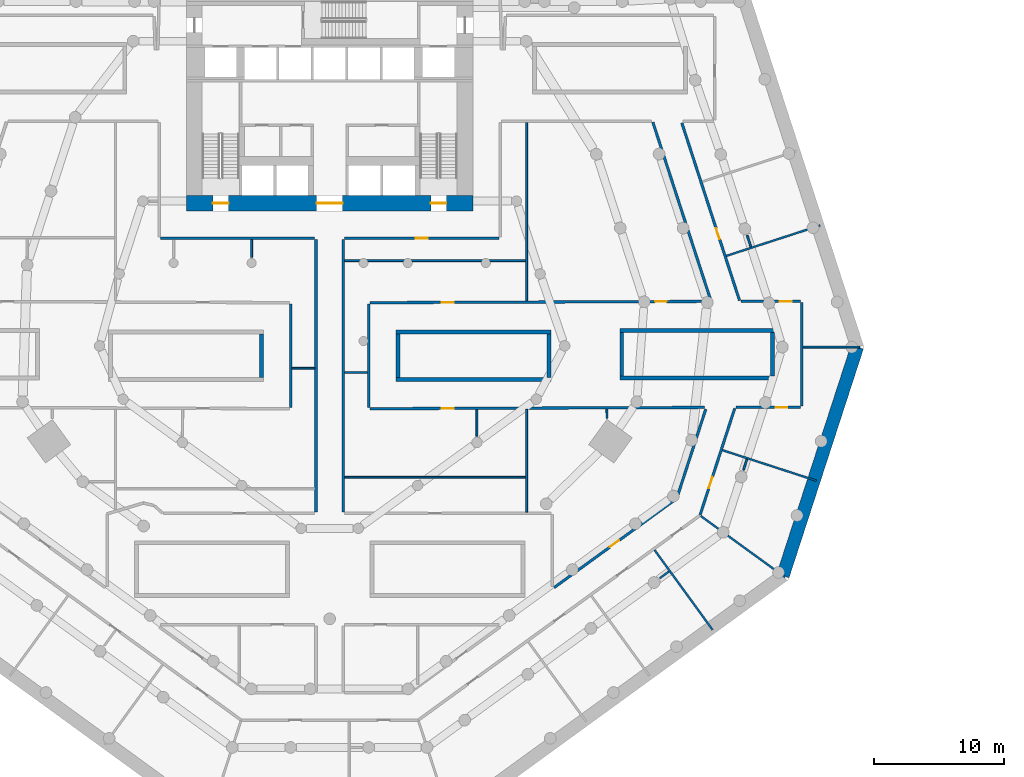
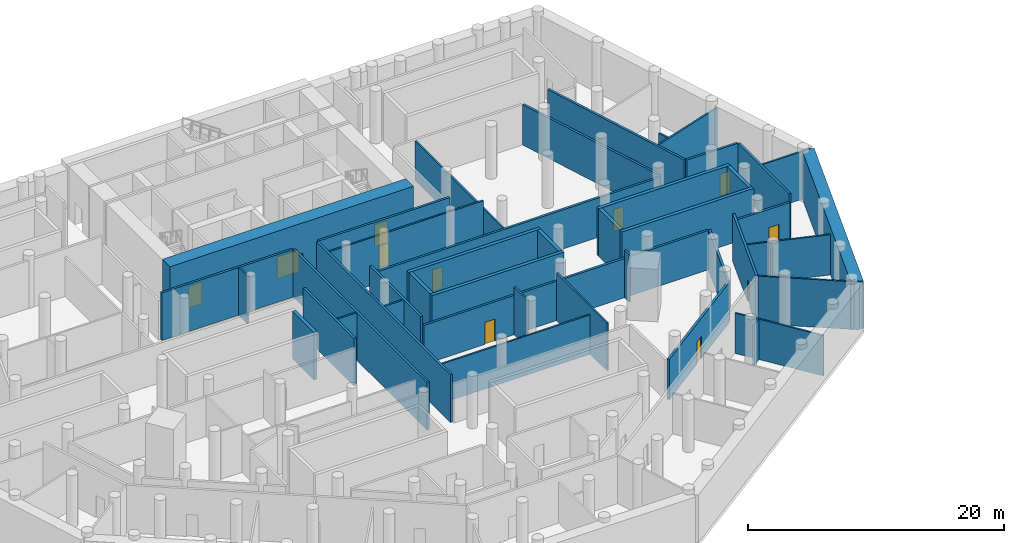
# One storey, part 7 of 10: 44 walls, 12 doors, 12 openings.
"""IFC4 building model written with IfcOpenShell, lengths in metres."""

from ifc_helpers import new_model, si_unit, direction, frame, frame_2d, origin, place, context, subcontext, project, spatial, rectangle, extrude, material, layer, layer_set, type_object, element, fill, save


model = new_model("IFC4")

# Units and contexts
model_context = context("Model", 3, precision=1e-05, world=origin(), true_north=direction((0.0, 1.0)))
body_context = subcontext(model_context, "Body", "Model", "MODEL_VIEW")
ifc_project = project(units=[si_unit("LENGTHUNIT", "METRE"), si_unit("AREAUNIT", "SQUARE_METRE"), si_unit("VOLUMEUNIT", "CUBIC_METRE"), si_unit("PLANEANGLEUNIT", "RADIAN"), si_unit("MASSUNIT", "GRAM", prefix="KILO")], contexts=[model_context])

# Site, building, storey
site_placement = place(None, origin())
site = spatial("IfcSite", under=ifc_project, at=site_placement, CompositionType="ELEMENT")
building_placement = place(site_placement, origin())
building = spatial("IfcBuilding", under=site, at=building_placement, Name="White Candle Pilgrim Tower", CompositionType="ELEMENT")
storey_placement = place(building_placement, frame((0.0, 0.0, -5.0)))
storey = spatial("IfcBuildingStorey", under=building, at=storey_placement, Name="B1", CompositionType="ELEMENT", Elevation=-5.0)

# Wall, opening, door
ifc_material_1 = material(Name="Gypsum board on steel studs", Category="steel")
ifc_layer_1 = layer(ifc_material_1, 0.199951171875)
ifc_layer_set_1 = layer_set([ifc_layer_1], Name="Corridor wall 200 mm EI 45")
wall_type_1 = type_object("IfcWallType", Name="Corridor wall 200 mm EI 45", PredefinedType="PARTITIONING", material=ifc_layer_set_1)
wall_1_placement = place(storey_placement, frame((97.070068359375, 77.76904296875, 0.0), z_axis=(0.0, 0.0, 1.0), x_axis=(0.309012990643, -0.951057817177, 0.0)))
wall_1 = element("IfcWall", 1, at=wall_1_placement, inside=storey, type_object=wall_type_1, Name="WL-B1-P016", PredefinedType="PARTITIONING", context=body_context, shape_type="SweptSolid", body=[
    extrude(rectangle(XDim=14.352294921875, YDim=0.199951171875, at=frame_2d((7.17626953125, 0.0))), origin(), (0.0, 0.0, 1.0), 4.550048828125),
])
opening_1_placement = place(wall_1_placement, frame((8.511474609375, 0.0, 0.0)))
opening_1 = element("IfcOpeningElement", 2, at=opening_1_placement, cuts=wall_1, Name="Opening B1-119", PredefinedType="OPENING", context=body_context, shape_type="SweptSolid", body=[
    extrude(rectangle(XDim=0.89990234375, YDim=2.10009765625, at=frame_2d((0.449951171875, 1.050048828125))), frame((0.0, 0.10986328125, 0.0), z_axis=(0.0, -1.0, 0.0), x_axis=(1.0, 0.0, 0.0)), (0.0, 0.0, 1.0), 0.219970703125),
])
ifc_material_2 = material(Name="Steel door leaf", Category="steel")
door_type_1 = type_object("IfcDoorType", Name="Fire door 900 x 2100 EI 30", OperationType="NOTDEFINED", PredefinedType="DOOR", material=ifc_material_2)
door_1_placement = place(opening_1_placement, origin())
door_1 = element("IfcDoor", 3, at=door_1_placement, inside=storey, type_object=door_type_1, Name="Door B1-119", OperationType="SINGLE_SWING_LEFT", OverallHeight=2.10009765625, OverallWidth=0.89990234375, PredefinedType="DOOR", context=body_context, shape_type="SweptSolid", body=[
    extrude(rectangle(XDim=0.89990234375, YDim=2.10009765625, at=frame_2d((0.449951171875, 1.050048828125))), frame((0.0, 0.02490234375, 0.0), z_axis=(0.0, -1.0, 0.0), x_axis=(1.0, 0.0, 0.0)), (0.0, 0.0, 1.0), 0.050048828125),
])
fill(opening_1, door_1)

wall_2_placement = place(storey_placement, frame((101.600341796875, 64.050048828125, 0.0), z_axis=(0.0, 0.0, 1.0), x_axis=(1.0, 0.0, 0.0)))
wall_2 = element("IfcWall", 4, at=wall_2_placement, inside=storey, type_object=wall_type_1, Name="WL-B1-P017", PredefinedType="PARTITIONING", context=body_context, shape_type="SweptSolid", body=[
    extrude(rectangle(XDim=4.599609375, YDim=0.199951171875, at=frame_2d((2.2998046875, 0.0))), origin(), (0.0, 0.0, 1.0), 4.550048828125),
])
opening_2_placement = place(wall_2_placement, frame((3.013427734375, 0.0, 0.0)))
opening_2 = element("IfcOpeningElement", 5, at=opening_2_placement, cuts=wall_2, Name="Opening B1-118", PredefinedType="OPENING", context=body_context, shape_type="SweptSolid", body=[
    extrude(rectangle(XDim=0.89990234375, YDim=2.10009765625, at=frame_2d((0.449951171875, 1.050048828125))), frame((0.0, 0.10986328125, 0.0), z_axis=(0.0, -1.0, 0.0), x_axis=(1.0, 0.0, 0.0)), (0.0, 0.0, 1.0), 0.219970703125),
])
door_2_placement = place(opening_2_placement, origin())
door_2 = element("IfcDoor", 6, at=door_2_placement, inside=storey, type_object=door_type_1, Name="Door B1-118", OperationType="SINGLE_SWING_RIGHT", OverallHeight=2.10009765625, OverallWidth=0.89990234375, PredefinedType="DOOR", context=body_context, shape_type="SweptSolid", body=[
    extrude(rectangle(XDim=0.89990234375, YDim=2.10009765625, at=frame_2d((0.449951171875, 1.050048828125))), frame((0.0, 0.02490234375, 0.0), z_axis=(0.0, -1.0, 0.0), x_axis=(1.0, 0.0, 0.0)), (0.0, 0.0, 1.0), 0.050048828125),
])
fill(opening_2, door_2)

# Wall
wall_3_placement = place(storey_placement, frame((106.300048828125, 63.949951171875, 0.0), z_axis=(0.0, 0.0, 1.0), x_axis=(0.0, -1.0, 0.0)))
element("IfcWall", 7, at=wall_3_placement, inside=storey, type_object=wall_type_1, Name="WL-B1-P018", PredefinedType="PARTITIONING", context=body_context, shape_type="SweptSolid", body=[
    extrude(rectangle(XDim=7.949951171875, YDim=0.199951171875, at=frame_2d((3.97509765625, 0.0))), origin(), (0.0, 0.0, 1.0), 4.550048828125),
])

# Wall, opening, door
wall_4_placement = place(storey_placement, frame((106.199951171875, 55.89990234375, 0.0), z_axis=(0.0, 0.0, 1.0), x_axis=(-1.0, 0.0, 0.0)))
wall_4 = element("IfcWall", 8, at=wall_4_placement, inside=storey, type_object=wall_type_1, Name="WL-B1-P019", PredefinedType="PARTITIONING", context=body_context, shape_type="SweptSolid", body=[
    extrude(rectangle(XDim=4.96630859375, YDim=0.199951171875, at=frame_2d((2.483154296875, 0.0))), origin(), (0.0, 0.0, 1.0), 3.85009765625),
])
opening_3_placement = place(wall_4_placement, frame((1.01953125, 0.0, 0.0)))
opening_3 = element("IfcOpeningElement", 9, at=opening_3_placement, cuts=wall_4, Name="Opening B1-117", PredefinedType="OPENING", context=body_context, shape_type="SweptSolid", body=[
    extrude(rectangle(XDim=0.89990234375, YDim=2.10009765625, at=frame_2d((0.449951171875, 1.050048828125))), frame((0.0, 0.10986328125, 0.0), z_axis=(0.0, -1.0, 0.0), x_axis=(1.0, 0.0, 0.0)), (0.0, 0.0, 1.0), 0.219970703125),
])
door_3_placement = place(opening_3_placement, origin())
door_3 = element("IfcDoor", 10, at=door_3_placement, inside=storey, type_object=door_type_1, Name="Door B1-117", OperationType="SINGLE_SWING_LEFT", OverallHeight=2.10009765625, OverallWidth=0.89990234375, PredefinedType="DOOR", context=body_context, shape_type="SweptSolid", body=[
    extrude(rectangle(XDim=0.89990234375, YDim=2.10009765625, at=frame_2d((0.449951171875, 1.050048828125))), frame((0.0, 0.02490234375, 0.0), z_axis=(0.0, -1.0, 0.0), x_axis=(1.0, 0.0, 0.0)), (0.0, 0.0, 1.0), 0.050048828125),
])
fill(opening_3, door_3)

wall_5_placement = place(storey_placement, frame((101.138671875, 55.830810546875, 0.0), z_axis=(0.0, 0.0, 1.0), x_axis=(-0.309050865735, -0.951045510156, 0.0)))
wall_5 = element("IfcWall", 11, at=wall_5_placement, inside=storey, type_object=wall_type_1, Name="WL-B1-P020", PredefinedType="PARTITIONING", context=body_context, shape_type="SweptSolid", body=[
    extrude(rectangle(XDim=8.6240234375, YDim=0.199951171875, at=frame_2d((4.31201171875, 0.0))), origin(), (0.0, 0.0, 1.0), 4.550048828125),
])
opening_4_placement = place(wall_5_placement, frame((5.554931640625, 0.0, 0.0)))
opening_4 = element("IfcOpeningElement", 12, at=opening_4_placement, cuts=wall_5, Name="Opening B1-116", PredefinedType="OPENING", context=body_context, shape_type="SweptSolid", body=[
    extrude(rectangle(XDim=0.89990234375, YDim=2.10009765625, at=frame_2d((0.449951171875, 1.050048828125))), frame((0.0, 0.10986328125, 0.0), z_axis=(0.0, -1.0, 0.0), x_axis=(1.0, 0.0, 0.0)), (0.0, 0.0, 1.0), 0.219970703125),
])
door_4_placement = place(opening_4_placement, origin())
door_4 = element("IfcDoor", 13, at=door_4_placement, inside=storey, type_object=door_type_1, Name="Door B1-116", OperationType="SINGLE_SWING_RIGHT", OverallHeight=2.10009765625, OverallWidth=0.89990234375, PredefinedType="DOOR", context=body_context, shape_type="SweptSolid", body=[
    extrude(rectangle(XDim=0.89990234375, YDim=2.10009765625, at=frame_2d((0.449951171875, 1.050048828125))), frame((0.0, 0.02490234375, 0.0), z_axis=(0.0, -1.0, 0.0), x_axis=(1.0, 0.0, 0.0)), (0.0, 0.0, 1.0), 0.050048828125),
])
fill(opening_4, door_4)

# Wall
wall_6_placement = place(storey_placement, frame((96.687255859375, 48.9267578125, 0.0), z_axis=(0.0, 0.0, 1.0), x_axis=(0.309000124439, 0.951061997504, 0.0)))
element("IfcWall", 14, at=wall_6_placement, inside=storey, type_object=wall_type_1, Name="WL-B1-P024", PredefinedType="PARTITIONING", context=body_context, shape_type="SweptSolid", body=[
    extrude(rectangle(XDim=7.19384765625, YDim=0.199951171875, at=frame_2d((3.596923828125, 0.0))), origin(), (0.0, 0.0, 1.0), 3.85009765625),
])

# Wall, opening, door
wall_7_placement = place(storey_placement, frame((98.814697265625, 55.8994140625, 0.0), z_axis=(0.0, 0.0, 1.0), x_axis=(-0.999992570732, -0.003854670107, 0.0)))
wall_7 = element("IfcWall", 15, at=wall_7_placement, inside=storey, type_object=wall_type_1, Name="WL-B1-P025", PredefinedType="PARTITIONING", context=body_context, shape_type="SweptSolid", body=[
    extrude(rectangle(XDim=25.714599609375, YDim=0.199951171875, at=frame_2d((12.857421875, 0.0))), origin(), (0.0, 0.0, 1.0), 3.75),
])
opening_5_placement = place(wall_7_placement, frame((19.294189453125, 0.0, 0.0)))
opening_5 = element("IfcOpeningElement", 16, at=opening_5_placement, cuts=wall_7, Name="Opening B1-128", PredefinedType="OPENING", context=body_context, shape_type="SweptSolid", body=[
    extrude(rectangle(XDim=0.89990234375, YDim=2.10009765625, at=frame_2d((0.449951171875, 1.050048828125))), frame((0.0, 0.10986328125, 0.0), z_axis=(0.0, -1.0, 0.0), x_axis=(1.0, 0.0, 0.0)), (0.0, 0.0, 1.0), 0.219970703125),
])
door_5_placement = place(opening_5_placement, origin())
door_5 = element("IfcDoor", 17, at=door_5_placement, inside=storey, type_object=door_type_1, Name="Door B1-128", OperationType="SINGLE_SWING_RIGHT", OverallHeight=2.10009765625, OverallWidth=0.89990234375, PredefinedType="DOOR", context=body_context, shape_type="SweptSolid", body=[
    extrude(rectangle(XDim=0.89990234375, YDim=2.10009765625, at=frame_2d((0.449951171875, 1.050048828125))), frame((0.0, 0.02490234375, 0.0), z_axis=(0.0, -1.0, 0.0), x_axis=(1.0, 0.0, 0.0)), (0.0, 0.0, 1.0), 0.050048828125),
])
fill(opening_5, door_5)

# Wall
wall_8_placement = place(storey_placement, frame((73.0, 55.900390625, 0.0), z_axis=(0.0, 0.0, 1.0), x_axis=(0.0, 1.0, 0.0)))
element("IfcWall", 18, at=wall_8_placement, inside=storey, type_object=wall_type_1, Name="WL-B1-P026", PredefinedType="PARTITIONING", context=body_context, shape_type="SweptSolid", body=[
    extrude(rectangle(XDim=7.949951171875, YDim=0.199951171875, at=frame_2d((3.97509765625, 0.0))), origin(), (0.0, 0.0, 1.0), 4.550048828125),
])

# Wall, openings, doors
wall_9_placement = place(storey_placement, frame((73.099609375, 63.950439453125, 0.0), z_axis=(0.0, 0.0, 1.0), x_axis=(0.999992779253, 0.003800189715, 0.0)))
wall_9 = element("IfcWall", 19, at=wall_9_placement, inside=storey, type_object=wall_type_1, Name="WL-B1-P027", PredefinedType="PARTITIONING", context=body_context, shape_type="SweptSolid", body=[
    extrude(rectangle(XDim=26.083251953125, YDim=0.199951171875, at=frame_2d((13.04150390625, 0.0))), origin(), (0.0, 0.0, 1.0), 3.75),
])
opening_6_placement = place(wall_9_placement, frame((5.52099609375, 0.0, 0.0)))
opening_6 = element("IfcOpeningElement", 20, at=opening_6_placement, cuts=wall_9, Name="Opening B1-129", PredefinedType="OPENING", context=body_context, shape_type="SweptSolid", body=[
    extrude(rectangle(XDim=0.89990234375, YDim=2.10009765625, at=frame_2d((0.449951171875, 1.050048828125))), frame((0.0, 0.10986328125, 0.0), z_axis=(0.0, -1.0, 0.0), x_axis=(1.0, 0.0, 0.0)), (0.0, 0.0, 1.0), 0.219970703125),
])
opening_7_placement = place(wall_9_placement, frame((21.910400390625, 0.0, 0.0)))
opening_7 = element("IfcOpeningElement", 21, at=opening_7_placement, cuts=wall_9, Name="Opening B1-132", PredefinedType="OPENING", context=body_context, shape_type="SweptSolid", body=[
    extrude(rectangle(XDim=0.89990234375, YDim=2.10009765625, at=frame_2d((0.449951171875, 1.050048828125))), frame((0.0, 0.10986328125, 0.0), z_axis=(0.0, -1.0, 0.0), x_axis=(1.0, 0.0, 0.0)), (0.0, 0.0, 1.0), 0.219970703125),
])
door_6_placement = place(opening_6_placement, origin())
door_6 = element("IfcDoor", 22, at=door_6_placement, inside=storey, type_object=door_type_1, Name="Door B1-129", OperationType="SINGLE_SWING_LEFT", OverallHeight=2.10009765625, OverallWidth=0.89990234375, PredefinedType="DOOR", context=body_context, shape_type="SweptSolid", body=[
    extrude(rectangle(XDim=0.89990234375, YDim=2.10009765625, at=frame_2d((0.449951171875, 1.050048828125))), frame((0.0, 0.02490234375, 0.0), z_axis=(0.0, -1.0, 0.0), x_axis=(1.0, 0.0, 0.0)), (0.0, 0.0, 1.0), 0.050048828125),
])
fill(opening_6, door_6)
door_7_placement = place(opening_7_placement, origin())
door_7 = element("IfcDoor", 23, at=door_7_placement, inside=storey, type_object=door_type_1, Name="Door B1-132", OperationType="SINGLE_SWING_RIGHT", OverallHeight=2.10009765625, OverallWidth=0.89990234375, PredefinedType="DOOR", context=body_context, shape_type="SweptSolid", body=[
    extrude(rectangle(XDim=0.89990234375, YDim=2.10009765625, at=frame_2d((0.449951171875, 1.050048828125))), frame((0.0, 0.02490234375, 0.0), z_axis=(0.0, -1.0, 0.0), x_axis=(1.0, 0.0, 0.0)), (0.0, 0.0, 1.0), 0.050048828125),
])
fill(opening_7, door_7)

# Wall
wall_10_placement = place(storey_placement, frame((99.277099609375, 64.180419921875, 0.0), z_axis=(0.0, 0.0, 1.0), x_axis=(-0.309018378218, 0.951056066656, 0.0)))
element("IfcWall", 24, at=wall_10_placement, inside=storey, type_object=wall_type_1, Name="WL-B1-P028", PredefinedType="PARTITIONING", context=body_context, shape_type="SweptSolid", body=[
    extrude(rectangle(XDim=14.352783203125, YDim=0.199951171875, at=frame_2d((7.17626953125, 0.0))), origin(), (0.0, 0.0, 1.0), 3.85009765625),
])

# Wall, opening, door
wall_11_placement = place(storey_placement, frame((83.0, 68.89990234375, 0.0), z_axis=(0.0, 0.0, 1.0), x_axis=(-1.0, 0.0, 0.0)))
wall_11 = element("IfcWall", 25, at=wall_11_placement, inside=storey, type_object=wall_type_1, Name="WL-B1-P031", PredefinedType="PARTITIONING", context=body_context, shape_type="SweptSolid", body=[
    extrude(rectangle(XDim=11.85009765625, YDim=0.199951171875, at=frame_2d((5.925048828125, 0.0))), origin(), (0.0, 0.0, 1.0), 4.550048828125),
])
opening_8_placement = place(wall_11_placement, frame((5.47509765625, 0.0, 0.0)))
opening_8 = element("IfcOpeningElement", 26, at=opening_8_placement, cuts=wall_11, Name="Opening B1-130", PredefinedType="OPENING", context=body_context, shape_type="SweptSolid", body=[
    extrude(rectangle(XDim=0.89990234375, YDim=2.10009765625, at=frame_2d((0.449951171875, 1.050048828125))), frame((0.0, 0.10986328125, 0.0), z_axis=(0.0, -1.0, 0.0), x_axis=(1.0, 0.0, 0.0)), (0.0, 0.0, 1.0), 0.219970703125),
])
door_8_placement = place(opening_8_placement, origin())
door_8 = element("IfcDoor", 27, at=door_8_placement, inside=storey, type_object=door_type_1, Name="Door B1-130", OperationType="SINGLE_SWING_RIGHT", OverallHeight=2.10009765625, OverallWidth=0.89990234375, PredefinedType="DOOR", context=body_context, shape_type="SweptSolid", body=[
    extrude(rectangle(XDim=0.89990234375, YDim=2.10009765625, at=frame_2d((0.449951171875, 1.050048828125))), frame((0.0, 0.02490234375, 0.0), z_axis=(0.0, -1.0, 0.0), x_axis=(1.0, 0.0, 0.0)), (0.0, 0.0, 1.0), 0.050048828125),
])
fill(opening_8, door_8)

# Wall
wall_12_placement = place(storey_placement, frame((71.050048828125, 68.800048828125, 0.0), z_axis=(0.0, 0.0, 1.0), x_axis=(0.0, -1.0, 0.0)))
element("IfcWall", 28, at=wall_12_placement, inside=storey, type_object=wall_type_1, Name="WL-B1-P032", PredefinedType="PARTITIONING", context=body_context, shape_type="SweptSolid", body=[
    extrude(rectangle(XDim=20.949951171875, YDim=0.199951171875, at=frame_2d((10.47509765625, 0.0))), origin(), (0.0, 0.0, 1.0), 4.550048828125),
])

# Wall, opening, door
wall_13_placement = place(storey_placement, frame((87.2587890625, 42.052978515625, 0.0), z_axis=(0.0, 0.0, 1.0), x_axis=(0.809017904923, 0.587783999028, 0.0)))
wall_13 = element("IfcWall", 29, at=wall_13_placement, inside=storey, type_object=wall_type_1, Name="WL-B1-P035", PredefinedType="PARTITIONING", context=body_context, shape_type="SweptSolid", body=[
    extrude(rectangle(XDim=11.609130859375, YDim=0.199951171875, at=frame_2d((5.8046875, 0.0))), origin(), (0.0, 0.0, 1.0), 3.85009765625),
])
opening_9_placement = place(wall_13_placement, frame((5.272705078125, 0.0, 0.0)))
opening_9 = element("IfcOpeningElement", 30, at=opening_9_placement, cuts=wall_13, Name="Opening B1-131", PredefinedType="OPENING", context=body_context, shape_type="SweptSolid", body=[
    extrude(rectangle(XDim=0.89990234375, YDim=2.10009765625, at=frame_2d((0.449951171875, 1.050048828125))), frame((0.0, 0.10986328125, 0.0), z_axis=(0.0, -1.0, 0.0), x_axis=(1.0, 0.0, 0.0)), (0.0, 0.0, 1.0), 0.219970703125),
])
door_9_placement = place(opening_9_placement, origin())
door_9 = element("IfcDoor", 31, at=door_9_placement, inside=storey, type_object=door_type_1, Name="Door B1-131", OperationType="SINGLE_SWING_LEFT", OverallHeight=2.10009765625, OverallWidth=0.89990234375, PredefinedType="DOOR", context=body_context, shape_type="SweptSolid", body=[
    extrude(rectangle(XDim=0.89990234375, YDim=2.10009765625, at=frame_2d((0.449951171875, 1.050048828125))), frame((0.0, 0.02490234375, 0.0), z_axis=(0.0, -1.0, 0.0), x_axis=(1.0, 0.0, 0.0)), (0.0, 0.0, 1.0), 0.050048828125),
])
fill(opening_9, door_9)

# Walls
wall_14_placement = place(storey_placement, frame((67.0, 63.850341796875, 0.0), z_axis=(0.0, 0.0, 1.0), x_axis=(0.0, -1.0, 0.0)))
element("IfcWall", 32, at=wall_14_placement, inside=storey, type_object=wall_type_1, Name="WL-B1-P040", PredefinedType="PARTITIONING", context=body_context, shape_type="SweptSolid", body=[
    extrude(rectangle(XDim=7.949951171875, YDim=0.199951171875, at=frame_2d((3.97509765625, 0.0))), origin(), (0.0, 0.0, 1.0), 4.550048828125),
])
wall_15_placement = place(storey_placement, frame((68.949951171875, 47.85009765625, 0.0), z_axis=(0.0, 0.0, 1.0), x_axis=(0.0, 1.0, 0.0)))
element("IfcWall", 33, at=wall_15_placement, inside=storey, type_object=wall_type_1, Name="WL-B1-P049", PredefinedType="PARTITIONING", context=body_context, shape_type="SweptSolid", body=[
    extrude(rectangle(XDim=20.949951171875, YDim=0.199951171875, at=frame_2d((10.47509765625, 0.0))), origin(), (0.0, 0.0, 1.0), 4.550048828125),
])
wall_16_placement = place(storey_placement, frame((68.85009765625, 68.89990234375, 0.0), z_axis=(0.0, 0.0, 1.0), x_axis=(-1.0, 0.0, 0.0)))
element("IfcWall", 34, at=wall_16_placement, inside=storey, type_object=wall_type_1, Name="WL-B1-P050", PredefinedType="PARTITIONING", context=body_context, shape_type="SweptSolid", body=[
    extrude(rectangle(XDim=11.85009765625, YDim=0.199951171875, at=frame_2d((5.925048828125, 0.0))), origin(), (0.0, 0.0, 1.0), 4.550048828125),
])
ifc_material_3 = material(Name="Concrete C40/50", Category="concrete")
ifc_layer_2 = layer(ifc_material_3, 1.0)
ifc_layer_set_2 = layer_set([ifc_layer_2], Name="Diaphragm wall 1000")
wall_type_2 = type_object("IfcWallType", Name="Diaphragm wall 1000", PredefinedType="SOLIDWALL", material=ifc_layer_set_2)
wall_17_placement = place(storey_placement, frame((110.55419921875, 60.539306640625, 0.0), z_axis=(0.0, 0.0, 1.0), x_axis=(-0.309001835939, -0.951061441436, 0.0)))
element("IfcWall", 35, at=wall_17_placement, inside=storey, type_object=wall_type_2, Name="Diaphragm wall B1-01", PredefinedType="SOLIDWALL", context=body_context, shape_type="SweptSolid", body=[
    extrude(rectangle(XDim=18.481201171875, YDim=1.0, at=frame_2d((9.24072265625, 0.0))), origin(), (0.0, 0.0, 1.0), 4.550048828125),
])
ifc_layer_3 = layer(ifc_material_1, 0.14990234375)
ifc_layer_set_3 = layer_set([ifc_layer_3], Name="Partition 150 mm EI 60")
wall_type_3 = type_object("IfcWallType", Name="Partition 150 mm EI 60", PredefinedType="PARTITIONING", material=ifc_layer_set_3)
wall_18_placement = place(storey_placement, frame((104.99658203125, 42.851318359375, 0.0), z_axis=(0.0, 0.0, 1.0), x_axis=(-0.809022705267, 0.587777391843, 0.0)))
element("IfcWall", 36, at=wall_18_placement, inside=storey, type_object=wall_type_3, Name="WL-B1-P063", PredefinedType="PARTITIONING", context=body_context, shape_type="SweptSolid", body=[
    extrude(rectangle(XDim=7.990234375, YDim=0.14990234375, at=frame_2d((3.9951171875, 0.0))), origin(), (0.0, 0.0, 1.0), 4.550048828125),
])
wall_19_placement = place(storey_placement, frame((110.74365234375, 60.539306640625, 0.0), z_axis=(0.0, 0.0, 1.0), x_axis=(-1.0, 0.0, 0.0)))
element("IfcWall", 37, at=wall_19_placement, inside=storey, type_object=wall_type_3, Name="WL-B1-P064", PredefinedType="PARTITIONING", context=body_context, shape_type="SweptSolid", body=[
    extrude(rectangle(XDim=4.34375, YDim=0.14990234375, at=frame_2d((2.171875, 0.0))), origin(), (0.0, 0.0, 1.0), 4.550048828125),
])
for number, where, z_axis, x_axis, name in (
    (38, (99.428955078125, 38.806396484375, 0.0), (0.0, 0.0, 1.0), (-0.587800109381, 0.80900619986, 0.0), "WL-B1-P074"),
    (39, (107.406494140625, 50.268798828125, 0.0), (0.0, 0.0, 1.0), (-0.951058681979, 0.309010329007, 0.0), "WL-B1-P075"),
    (40, (107.705078125, 69.890869140625, 0.0), (0.0, 0.0, 1.0), (-0.951058681979, -0.309010329007, 0.0), "WL-B1-P076"),
):
    element("IfcWall", number, at=place(storey_placement, frame(where, z_axis=z_axis, x_axis=x_axis)), inside=storey, type_object=wall_type_3, Name=name, PredefinedType="PARTITIONING", context=body_context, shape_type="SweptSolid", body=[
        extrude(rectangle(XDim=7.580078125, YDim=0.14990234375, at=frame_2d((3.7900390625, 0.0))), origin(), (0.0, 0.0, 1.0), 3.85009765625),
    ])
wall_20_placement = place(storey_placement, frame((67.10009765625, 58.911376953125, 0.0), z_axis=(0.0, 0.0, 1.0), x_axis=(1.0, 0.0, 0.0)))
element("IfcWall", 41, at=wall_20_placement, inside=storey, type_object=wall_type_3, Name="WL-B1-P081", PredefinedType="PARTITIONING", context=body_context, shape_type="SweptSolid", body=[
    extrude(rectangle(XDim=1.75, YDim=0.14990234375, at=frame_2d((0.875, 0.0))), origin(), (0.0, 0.0, 1.0), 4.550048828125),
])
wall_21_placement = place(storey_placement, frame((85.141357421875, 47.85009765625, 0.0), z_axis=(0.0, 0.0, 1.0), x_axis=(0.0, 1.0, 0.0)))
element("IfcWall", 42, at=wall_21_placement, inside=storey, type_object=wall_type_3, Name="WL-B1-P083", PredefinedType="PARTITIONING", context=body_context, shape_type="SweptSolid", body=[
    extrude(rectangle(XDim=7.896484375, YDim=0.14990234375, at=frame_2d((3.9482421875, 0.0))), origin(), (0.0, 0.0, 1.0), 4.550048828125),
])
wall_22_placement = place(storey_placement, frame((85.141357421875, 64.096435546875, 0.0), z_axis=(0.0, 0.0, 1.0), x_axis=(0.0, 1.0, 0.0)))
element("IfcWall", 43, at=wall_22_placement, inside=storey, type_object=wall_type_3, Name="WL-B1-P084", PredefinedType="PARTITIONING", context=body_context, shape_type="SweptSolid", body=[
    extrude(rectangle(XDim=13.70361328125, YDim=0.14990234375, at=frame_2d((6.851806640625, 0.0))), origin(), (0.0, 0.0, 1.0), 3.75),
])
wall_23_placement = place(storey_placement, frame((71.14990234375, 50.531005859375, 0.0), z_axis=(0.0, 0.0, 1.0), x_axis=(1.0, 0.0, 0.0)))
element("IfcWall", 44, at=wall_23_placement, inside=storey, type_object=wall_type_3, Name="WL-B1-P085", PredefinedType="PARTITIONING", context=body_context, shape_type="SweptSolid", body=[
    extrude(rectangle(XDim=13.91650390625, YDim=0.14990234375, at=frame_2d((6.958251953125, 0.0))), origin(), (0.0, 0.0, 1.0), 3.75),
])
wall_24_placement = place(storey_placement, frame((71.14990234375, 58.585205078125, 0.0), z_axis=(0.0, 0.0, 1.0), x_axis=(1.0, 0.0, 0.0)))
element("IfcWall", 45, at=wall_24_placement, inside=storey, type_object=wall_type_3, Name="WL-B1-P086", PredefinedType="PARTITIONING", context=body_context, shape_type="SweptSolid", body=[
    extrude(rectangle(XDim=1.75, YDim=0.14990234375, at=frame_2d((0.875, 0.0))), origin(), (0.0, 0.0, 1.0), 4.550048828125),
])
wall_25_placement = place(storey_placement, frame((71.14990234375, 67.18408203125, 0.0), z_axis=(0.0, 0.0, 1.0), x_axis=(1.0, 0.0, 0.0)))
element("IfcWall", 46, at=wall_25_placement, inside=storey, type_object=wall_type_3, Name="WL-B1-P087", PredefinedType="PARTITIONING", context=body_context, shape_type="SweptSolid", body=[
    extrude(rectangle(XDim=13.91650390625, YDim=0.14990234375, at=frame_2d((6.958251953125, 0.0))), origin(), (0.0, 0.0, 1.0), 4.550048828125),
])
wall_26_placement = place(storey_placement, frame((91.317138671875, 55.066162109375, 0.0), z_axis=(0.0, 0.0, 1.0), x_axis=(-0.003812797242, 0.999992731262, 0.0)))
element("IfcWall", 47, at=wall_26_placement, inside=storey, type_object=wall_type_3, Name="WL-B1-P092", PredefinedType="PARTITIONING", context=body_context, shape_type="SweptSolid", body=[
    extrude(rectangle(XDim=0.704345703125, YDim=0.14990234375, at=frame_2d((0.35205078125, 0.0))), origin(), (0.0, 0.0, 1.0), 4.550048828125),
])
wall_27_placement = place(storey_placement, frame((81.317626953125, 53.699951171875, 0.0), z_axis=(0.0, 0.0, 1.0), x_axis=(-0.003844739095, 0.999992608963, 0.0)))
element("IfcWall", 48, at=wall_27_placement, inside=storey, type_object=wall_type_3, Name="WL-B1-P095", PredefinedType="PARTITIONING", context=body_context, shape_type="SweptSolid", body=[
    extrude(rectangle(XDim=2.031982421875, YDim=0.14990234375, at=frame_2d((1.01611328125, 0.0))), origin(), (0.0, 0.0, 1.0), 4.550048828125),
])
wall_28_placement = place(storey_placement, frame((63.997802734375, 67.43994140625, 0.0), z_axis=(0.0, 0.0, 1.0), x_axis=(0.0, 1.0, 0.0)))
element("IfcWall", 49, at=wall_28_placement, inside=storey, type_object=wall_type_3, Name="WL-B1-P098", PredefinedType="PARTITIONING", context=body_context, shape_type="SweptSolid", body=[
    extrude(rectangle(XDim=1.360107421875, YDim=0.14990234375, at=frame_2d((0.68017578125, 0.0))), origin(), (0.0, 0.0, 1.0), 4.550048828125),
])
wall_29_placement = place(storey_placement, frame((95.3662109375, 42.765380859375, 0.0), z_axis=(0.0, 0.0, 1.0), x_axis=(0.808950861425, 0.587876265723, 0.0)))
element("IfcWall", 50, at=wall_29_placement, inside=storey, type_object=wall_type_3, Name="WL-B1-P101", PredefinedType="PARTITIONING", context=body_context, shape_type="SweptSolid", body=[
    extrude(rectangle(XDim=0.884521484375, YDim=0.14990234375, at=frame_2d((0.4423828125, 0.0))), origin(), (0.0, 0.0, 1.0), 3.85009765625),
])
wall_30_placement = place(storey_placement, frame((101.80712890625, 51.078125, 0.0), z_axis=(0.0, 0.0, 1.0), x_axis=(0.309023738622, 0.95105432493, 0.0)))
element("IfcWall", 51, at=wall_30_placement, inside=storey, type_object=wall_type_3, Name="WL-B1-P102", PredefinedType="PARTITIONING", context=body_context, shape_type="SweptSolid", body=[
    extrude(rectangle(XDim=0.8857421875, YDim=0.14990234375, at=frame_2d((0.44287109375, 0.0))), origin(), (0.0, 0.0, 1.0), 3.85009765625),
])
wall_31_placement = place(storey_placement, frame((102.090087890625, 69.1279296875, 0.0), z_axis=(0.0, 0.0, 1.0), x_axis=(0.309086072338, -0.951034068731, 0.0)))
element("IfcWall", 52, at=wall_31_placement, inside=storey, type_object=wall_type_3, Name="WL-B1-P103", PredefinedType="PARTITIONING", context=body_context, shape_type="SweptSolid", body=[
    extrude(rectangle(XDim=0.934326171875, YDim=0.14990234375, at=frame_2d((0.46728515625, 0.0))), origin(), (0.0, 0.0, 1.0), 3.85009765625),
])
ifc_material_4 = material(Name="Concrete C60/75", Category="concrete")
ifc_layer_4 = layer(ifc_material_4, 0.300048828125)
ifc_layer_set_4 = layer_set([ifc_layer_4], Name="Shaft wall 300 mm Concrete C60/75")
wall_type_4 = type_object("IfcWallType", Name="Shaft wall 300 mm Concrete C60/75", PredefinedType="SHEAR", material=ifc_layer_set_4)
wall_32_placement = place(storey_placement, frame((64.75, 58.199951171875, 0.0), z_axis=(0.0, 0.0, 1.0), x_axis=(0.0, 1.0, 0.0)))
element("IfcWall", 53, at=wall_32_placement, inside=storey, type_object=wall_type_4, Name="WL-B1-PB5E", PredefinedType="SHEAR", context=body_context, shape_type="SweptSolid", body=[
    extrude(rectangle(XDim=3.35009765625, YDim=0.300048828125, at=frame_2d((1.675048828125, 0.0))), origin(), (0.0, 0.0, 1.0), 4.550048828125),
])
for number, where, z_axis, x_axis, name in (
    (54, (75.10009765625, 58.050048828125, 0.0), (0.0, 0.0, 1.0), (1.0, 0.0, 0.0), "WL-B1-PB4S"),
    (55, (75.10009765625, 61.699951171875, 0.0), (0.0, 0.0, 1.0), (1.0, 0.0, 0.0), "WL-B1-PB4N"),
):
    element("IfcWall", number, at=place(storey_placement, frame(where, z_axis=z_axis, x_axis=x_axis)), inside=storey, type_object=wall_type_4, Name=name, PredefinedType="SHEAR", context=body_context, shape_type="SweptSolid", body=[
        extrude(rectangle(XDim=11.89990234375, YDim=0.300048828125, at=frame_2d((5.949951171875, 0.0))), origin(), (0.0, 0.0, 1.0), 4.550048828125),
    ])
for number, where, z_axis, x_axis, name in (
    (56, (75.25, 58.199951171875, 0.0), (0.0, 0.0, 1.0), (0.0, 1.0, 0.0), "WL-B1-PB4W"),
    (57, (86.85009765625, 58.199951171875, 0.0), (0.0, 0.0, 1.0), (0.0, 1.0, 0.0), "WL-B1-PB4E"),
):
    element("IfcWall", number, at=place(storey_placement, frame(where, z_axis=z_axis, x_axis=x_axis)), inside=storey, type_object=wall_type_4, Name=name, PredefinedType="SHEAR", context=body_context, shape_type="SweptSolid", body=[
        extrude(rectangle(XDim=3.35009765625, YDim=0.300048828125, at=frame_2d((1.675048828125, 0.0))), origin(), (0.0, 0.0, 1.0), 4.550048828125),
    ])
for number, where, z_axis, x_axis, name in (
    (58, (92.300048828125, 58.14990234375, 0.0), (0.0, 0.0, 1.0), (1.0, 0.0, 0.0), "WL-B1-PB9S"),
    (59, (92.300048828125, 61.800048828125, 0.0), (0.0, 0.0, 1.0), (1.0, 0.0, 0.0), "WL-B1-PB9N"),
):
    element("IfcWall", number, at=place(storey_placement, frame(where, z_axis=z_axis, x_axis=x_axis)), inside=storey, type_object=wall_type_4, Name=name, PredefinedType="SHEAR", context=body_context, shape_type="SweptSolid", body=[
        extrude(rectangle(XDim=11.89990234375, YDim=0.300048828125, at=frame_2d((5.949951171875, 0.0))), origin(), (0.0, 0.0, 1.0), 4.550048828125),
    ])
for number, where, z_axis, x_axis, name in (
    (60, (92.449951171875, 58.300048828125, 0.0), (0.0, 0.0, 1.0), (0.0, 1.0, 0.0), "WL-B1-PB9W"),
    (61, (104.050048828125, 58.300048828125, 0.0), (0.0, 0.0, 1.0), (0.0, 1.0, 0.0), "WL-B1-PB9E"),
):
    element("IfcWall", number, at=place(storey_placement, frame(where, z_axis=z_axis, x_axis=x_axis)), inside=storey, type_object=wall_type_4, Name=name, PredefinedType="SHEAR", context=body_context, shape_type="SweptSolid", body=[
        extrude(rectangle(XDim=3.349853515625, YDim=0.300048828125, at=frame_2d((1.6748046875, 0.0))), origin(), (0.0, 0.0, 1.0), 4.550048828125),
    ])

# Wall, openings, doors
ifc_material_5 = material(Name="Concrete C70/85", Category="concrete")
ifc_layer_5 = layer(ifc_material_5, 1.199951171875)
ifc_layer_set_5 = layer_set([ifc_layer_5], Name="Stair shaft wall 1200 mm Concrete C70/85")
wall_type_5 = type_object("IfcWallType", Name="Stair shaft wall 1200 mm Concrete C70/85", PredefinedType="SHEAR", material=ifc_layer_set_5)
wall_33_placement = place(storey_placement, frame((59.0, 71.60009765625, 0.0), z_axis=(0.0, 0.0, 1.0), x_axis=(1.0, 0.0, 0.0)))
wall_33 = element("IfcWall", 62, at=wall_33_placement, inside=storey, type_object=wall_type_5, Name="WL-B1-C01", PredefinedType="SHEAR", context=body_context, shape_type="SweptSolid", body=[
    extrude(rectangle(XDim=22.0, YDim=1.199951171875, at=frame_2d((11.0, 0.0))), origin(), (0.0, 0.0, 1.0), 5.0),
])
opening_10_placement = place(wall_33_placement, frame((2.02490234375, 0.0, 0.0)))
opening_10 = element("IfcOpeningElement", 63, at=opening_10_placement, cuts=wall_33, Name="Opening B1-001", PredefinedType="OPENING", context=body_context, shape_type="SweptSolid", body=[
    extrude(rectangle(XDim=1.199951171875, YDim=2.10009765625, at=frame_2d((0.60009765625, 1.050048828125))), frame((0.0, 0.60986328125, 0.0), z_axis=(0.0, -1.0, 0.0), x_axis=(1.0, 0.0, 0.0)), (0.0, 0.0, 1.0), 1.219970703125),
])
opening_11_placement = place(wall_33_placement, frame((18.77490234375, 0.0, 0.0)))
opening_11 = element("IfcOpeningElement", 64, at=opening_11_placement, cuts=wall_33, Name="Opening B1-002", PredefinedType="OPENING", context=body_context, shape_type="SweptSolid", body=[
    extrude(rectangle(XDim=1.199951171875, YDim=2.10009765625, at=frame_2d((0.60009765625, 1.050048828125))), frame((0.0, 0.60986328125, 0.0), z_axis=(0.0, -1.0, 0.0), x_axis=(1.0, 0.0, 0.0)), (0.0, 0.0, 1.0), 1.219970703125),
])
opening_12_placement = place(wall_33_placement, frame((10.0, 0.0, 0.0)))
opening_12 = element("IfcOpeningElement", 65, at=opening_12_placement, cuts=wall_33, Name="Opening B1-004", PredefinedType="OPENING", context=body_context, shape_type="SweptSolid", body=[
    extrude(rectangle(XDim=2.0, YDim=2.10009765625, at=frame_2d((1.0, 1.050048828125))), frame((0.0, 0.60986328125, 0.0), z_axis=(0.0, -1.0, 0.0), x_axis=(1.0, 0.0, 0.0)), (0.0, 0.0, 1.0), 1.219970703125),
])
door_type_2 = type_object("IfcDoorType", Name="Fire door 1200 x 2100 EI 60", OperationType="NOTDEFINED", PredefinedType="DOOR", material=ifc_material_2)
door_10_placement = place(opening_10_placement, frame((1.199951171875, 0.0, 0.0), z_axis=(0.0, 0.0, 1.0), x_axis=(-1.0, 0.0, 0.0)))
door_10 = element("IfcDoor", 66, at=door_10_placement, inside=storey, type_object=door_type_2, Name="Door B1-001", OperationType="SINGLE_SWING_RIGHT", OverallHeight=2.10009765625, OverallWidth=1.199951171875, PredefinedType="DOOR", context=body_context, shape_type="SweptSolid", body=[
    extrude(rectangle(XDim=1.199951171875, YDim=2.10009765625, at=frame_2d((0.60009765625, 1.050048828125))), frame((0.0, 0.02490234375, 0.0), z_axis=(0.0, -1.0, 0.0), x_axis=(1.0, 0.0, 0.0)), (0.0, 0.0, 1.0), 0.050048828125),
])
fill(opening_10, door_10)
door_11_placement = place(opening_11_placement, frame((1.199951171875, 0.0, 0.0), z_axis=(0.0, 0.0, 1.0), x_axis=(-1.0, 0.0, 0.0)))
door_11 = element("IfcDoor", 67, at=door_11_placement, inside=storey, type_object=door_type_2, Name="Door B1-002", OperationType="SINGLE_SWING_LEFT", OverallHeight=2.10009765625, OverallWidth=1.199951171875, PredefinedType="DOOR", context=body_context, shape_type="SweptSolid", body=[
    extrude(rectangle(XDim=1.199951171875, YDim=2.10009765625, at=frame_2d((0.60009765625, 1.050048828125))), frame((0.0, 0.02490234375, 0.0), z_axis=(0.0, -1.0, 0.0), x_axis=(1.0, 0.0, 0.0)), (0.0, 0.0, 1.0), 0.050048828125),
])
fill(opening_11, door_11)
door_type_3 = type_object("IfcDoorType", Name="Fire door 2000 x 2100 EI 60", OperationType="NOTDEFINED", PredefinedType="DOOR", material=ifc_material_2)
door_12_placement = place(opening_12_placement, frame((2.0, 0.0, 0.0), z_axis=(0.0, 0.0, 1.0), x_axis=(-1.0, 0.0, 0.0)))
door_12 = element("IfcDoor", 68, at=door_12_placement, inside=storey, type_object=door_type_3, Name="Door B1-004", OperationType="DOUBLE_DOOR_SINGLE_SWING", OverallHeight=2.10009765625, OverallWidth=2.0, PredefinedType="DOOR", context=body_context, shape_type="SweptSolid", body=[
    extrude(rectangle(XDim=2.0, YDim=2.10009765625, at=frame_2d((1.0, 1.050048828125))), frame((0.0, 0.02490234375, 0.0), z_axis=(0.0, -1.0, 0.0), x_axis=(1.0, 0.0, 0.0)), (0.0, 0.0, 1.0), 0.050048828125),
])
fill(opening_12, door_12)

save(model, "model.ifc")
